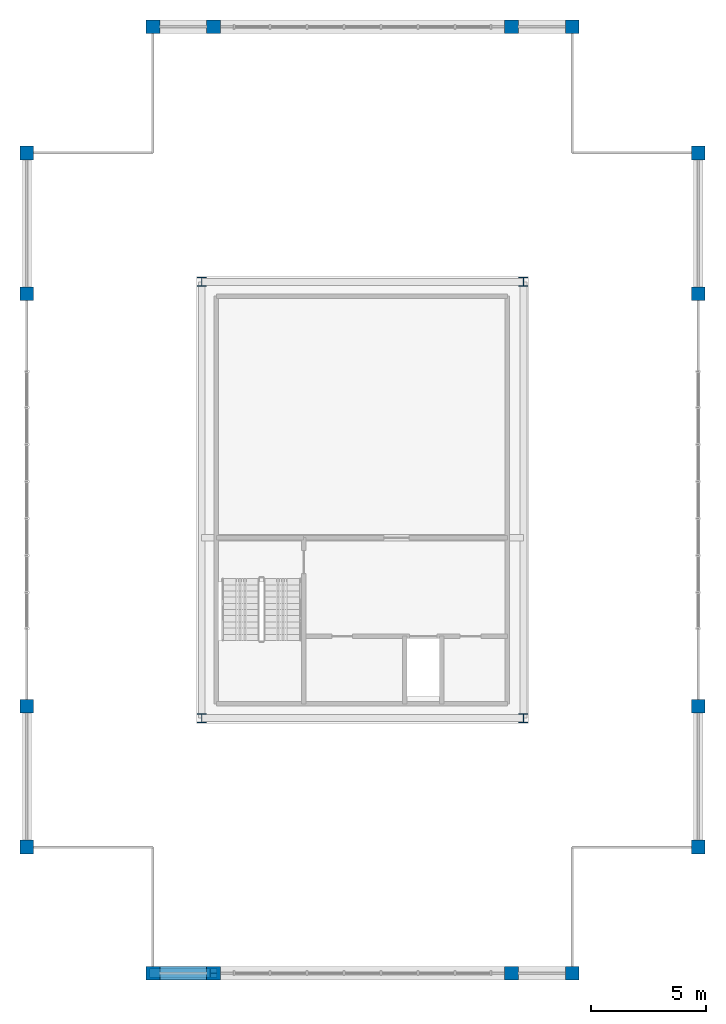
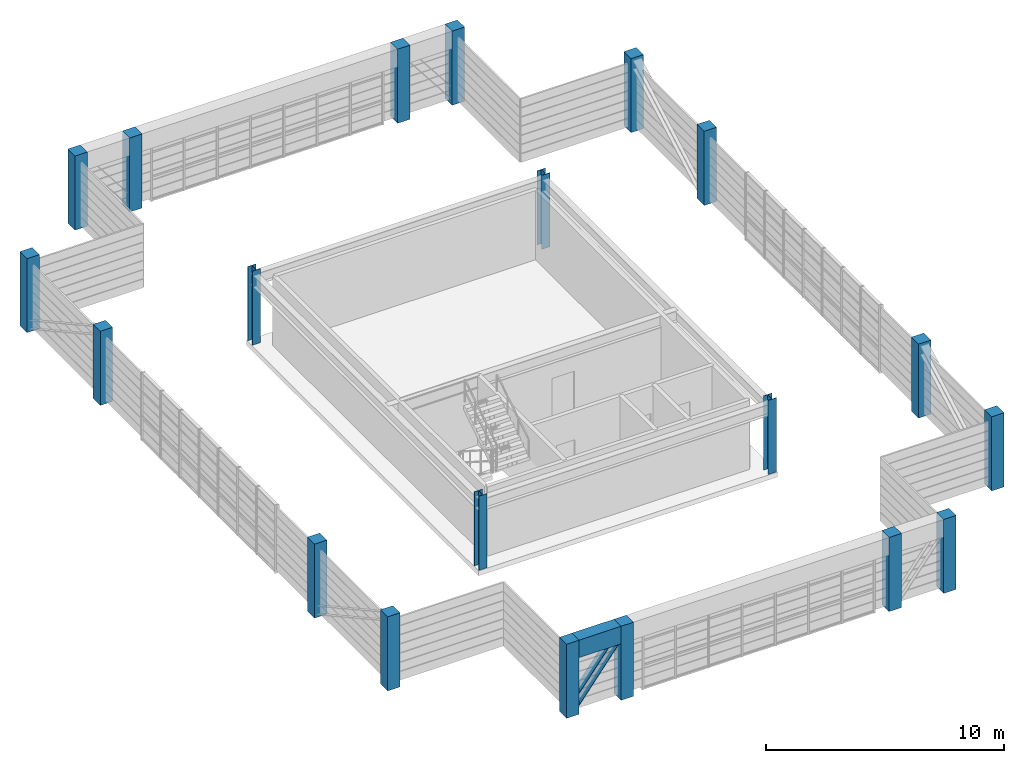
# One storey, part 1 of 21: 20 columns, 1 beam, 1 member.
"""IFC4 building model written with IfcOpenShell, lengths in metres."""

from ifc_helpers import new_model, si_unit, direction, frame, origin, origin_2d, place, context, subcontext, project, spatial, rectangle, i_section, extrude, source, transform, mapped, material, material_profile, profile_set, type_object, element, save


model = new_model("IFC4")

# Units and contexts
model_context = context("Model", 3, precision=1e-05, world=origin(), true_north=direction((0.0, 1.0)))
body_context = subcontext(model_context, "Body", "Model", "MODEL_VIEW")
ifc_project = project(units=[si_unit("LENGTHUNIT", "METRE"), si_unit("AREAUNIT", "SQUARE_METRE"), si_unit("VOLUMEUNIT", "CUBIC_METRE"), si_unit("PLANEANGLEUNIT", "RADIAN"), si_unit("MASSUNIT", "GRAM", prefix="KILO")], contexts=[model_context])

# Site, building, storey
site_placement = place(None, origin())
site = spatial("IfcSite", under=ifc_project, at=site_placement, CompositionType="ELEMENT")
building_placement = place(site_placement, origin())
building = spatial("IfcBuilding", under=site, at=building_placement, Name="Saelheon Loggia Tower", CompositionType="ELEMENT")
storey_placement = place(building_placement, frame((0.0, 0.0, 259.800048828125)))
storey = spatial("IfcBuildingStorey", under=building, at=storey_placement, Name="CR3", CompositionType="ELEMENT", Elevation=259.800048828125)

# Columns
ifc_material_1 = material(Name="Precast Concrete C45/55", Category="concrete")
ifc_material_profile_1 = material_profile(ifc_material_1, rectangle(XDim=0.60009765625, YDim=0.60009765625, at=origin_2d()), Name="RC-600x600")
ifc_profile_set_1 = profile_set([ifc_material_profile_1], Name="Precast Concrete C45/55")
column_type_1 = type_object("IfcColumnType", Name="CrownFrame_Col_RC600", PredefinedType="COLUMN", material=ifc_profile_set_1)
shared_shape_1 = source(origin(), body_context, "Body", "SweptSolid", [
    extrude(rectangle(XDim=0.60009765625, YDim=0.60009765625, at=origin_2d()), origin(), (0.0, 0.0, 1.0), 3.800048828125),
])
for number, where, z_axis, x_axis, name in (
    (1, (28.85009765625, 6.35009765625, 0.0), (0.0, 0.0, 1.0), (1.0, 0.0, 0.0), "CR3 CROWN FRAME Column TP-S1"),
    (2, (31.5, 6.35009765625, 0.0), (0.0, 0.0, 1.0), (1.0, 0.0, 0.0), "CR3 CROWN FRAME Column TP-SA"),
    (3, (44.5, 6.35009765625, 0.0), (0.0, 0.0, 1.0), (1.0, 0.0, 0.0), "CR3 CROWN FRAME Column TP-SB"),
    (4, (47.14990234375, 6.35009765625, 0.0), (0.0, 0.0, 1.0), (1.0, 0.0, 0.0), "CR3 CROWN FRAME Column TP-S2"),
    (5, (52.64990234375, 11.85009765625, 0.0), (0.0, 0.0, 1.0), (1.0, 0.0, 0.0), "CR3 CROWN FRAME Column TP-E1"),
    (6, (52.64990234375, 18.0, 0.0), (0.0, 0.0, 1.0), (1.0, 0.0, 0.0), "CR3 CROWN FRAME Column TP-EA"),
    (7, (52.64990234375, 36.0, 0.0), (0.0, 0.0, 1.0), (1.0, 0.0, 0.0), "CR3 CROWN FRAME Column TP-EB"),
    (8, (52.64990234375, 42.14990234375, 0.0), (0.0, 0.0, 1.0), (1.0, 0.0, 0.0), "CR3 CROWN FRAME Column TP-E2"),
    (9, (47.14990234375, 47.64990234375, 0.0), (0.0, 0.0, 1.0), (1.0, 0.0, 0.0), "CR3 CROWN FRAME Column TP-N2"),
    (10, (44.5, 47.64990234375, 0.0), (0.0, 0.0, 1.0), (1.0, 0.0, 0.0), "CR3 CROWN FRAME Column TP-NB"),
    (11, (31.5, 47.64990234375, 0.0), (0.0, 0.0, 1.0), (1.0, 0.0, 0.0), "CR3 CROWN FRAME Column TP-NA"),
    (12, (28.85009765625, 47.64990234375, 0.0), (0.0, 0.0, 1.0), (1.0, 0.0, 0.0), "CR3 CROWN FRAME Column TP-N1"),
    (13, (23.35009765625, 42.14990234375, 0.0), (0.0, 0.0, 1.0), (1.0, 0.0, 0.0), "CR3 CROWN FRAME Column TP-W2"),
    (14, (23.35009765625, 36.0, 0.0), (0.0, 0.0, 1.0), (1.0, 0.0, 0.0), "CR3 CROWN FRAME Column TP-WB"),
    (15, (23.35009765625, 18.0, 0.0), (0.0, 0.0, 1.0), (1.0, 0.0, 0.0), "CR3 CROWN FRAME Column TP-WA"),
    (16, (23.35009765625, 11.85009765625, 0.0), (0.0, 0.0, 1.0), (1.0, 0.0, 0.0), "CR3 CROWN FRAME Column TP-W1"),
):
    element("IfcColumn", number, at=place(storey_placement, frame(where, z_axis=z_axis, x_axis=x_axis)), inside=storey, type_object=column_type_1, Name=name, PredefinedType="COLUMN", context=body_context, shape_type="MappedRepresentation", body=[
        mapped(shared_shape_1, transform((0.0, 0.0, 0.0), scale=1.0)),
    ])
ifc_material_2 = material(Name="Steel SM355", Category="steel")
ifc_material_profile_2 = material_profile(ifc_material_2, i_section(OverallWidth=0.39990234375, OverallDepth=0.39990234375, WebThickness=0.012939453125, FlangeThickness=0.02099609375, at=origin_2d()), Name="H-400x400x13x21")
ifc_profile_set_2 = profile_set([ifc_material_profile_2], Name="Steel SM355")
column_type_2 = type_object("IfcColumnType", Name="Col_Steel_H400", PredefinedType="COLUMN", material=ifc_profile_set_2)
shared_shape_2 = source(origin(), body_context, "Body", "SweptSolid", [
    extrude(i_section(OverallWidth=0.39990234375, OverallDepth=0.39990234375, WebThickness=0.012939453125, FlangeThickness=0.02099609375, at=origin_2d()), origin(), (0.0, 0.0, 1.0), 3.800048828125),
])
for number, where, z_axis, x_axis, name in (
    (17, (30.97998046875, 17.47998046875, 0.0), (0.0, 0.0, 1.0), (1.0, 0.0, 0.0), "CR3 Crown Plant Frame Column CR-SW"),
    (18, (45.02001953125, 17.47998046875, 0.0), (0.0, 0.0, 1.0), (1.0, 0.0, 0.0), "CR3 Crown Plant Frame Column CR-SE"),
    (19, (30.97998046875, 36.52001953125, 0.0), (0.0, 0.0, 1.0), (1.0, 0.0, 0.0), "CR3 Crown Plant Frame Column CR-NW"),
    (20, (45.02001953125, 36.52001953125, 0.0), (0.0, 0.0, 1.0), (1.0, 0.0, 0.0), "CR3 Crown Plant Frame Column CR-NE"),
):
    element("IfcColumn", number, at=place(storey_placement, frame(where, z_axis=z_axis, x_axis=x_axis)), inside=storey, type_object=column_type_2, Name=name, PredefinedType="COLUMN", context=body_context, shape_type="MappedRepresentation", body=[
        mapped(shared_shape_2, transform((0.0, 0.0, 0.0), scale=1.0)),
    ])

# Beam
ifc_material_profile_3 = material_profile(ifc_material_1, rectangle(XDim=0.60009765625, YDim=0.89990234375, at=origin_2d()), Name="RC-600x900")
ifc_profile_set_3 = profile_set([ifc_material_profile_3], Name="Precast Concrete C45/55")
beam_type = type_object("IfcBeamType", Name="CrownFrame_Ring_RC600x900", PredefinedType="BEAM", material=ifc_profile_set_3)
shared_shape_3 = source(origin(), body_context, "Body", "SweptSolid", [
    extrude(rectangle(XDim=0.60009765625, YDim=0.89990234375, at=origin_2d()), origin(), (0.0, 0.0, 1.0), 2.64990234375),
])
beam_placement = place(storey_placement, frame((28.85009765625, 6.35009765625, 3.349853515625), z_axis=(1.0, 0.0, 0.0), x_axis=(0.0, 1.0, 0.0)))
element("IfcBeam", 21, at=beam_placement, inside=storey, type_object=beam_type, Name="CR3 CROWN FRAME Sill Beam 01", PredefinedType="BEAM", context=body_context, shape_type="MappedRepresentation", body=[
    mapped(shared_shape_3, transform((0.0, 0.0, 0.0), scale=1.0)),
])

# Member
ifc_material_profile_4 = material_profile(ifc_material_2, i_section(OverallWidth=0.39990234375, OverallDepth=0.39990234375, WebThickness=0.012939453125, FlangeThickness=0.02099609375, at=origin_2d()), Name="H-400x400x13x21")
ifc_profile_set_4 = profile_set([ifc_material_profile_4], Name="Steel SM355")
member_type = type_object("IfcMemberType", Name="CrownFrame_Brace_H400", PredefinedType="BRACE", material=ifc_profile_set_4)
shared_shape_4 = source(origin(), body_context, "Body", "SweptSolid", [
    extrude(i_section(OverallWidth=0.39990234375, OverallDepth=0.39990234375, WebThickness=0.012939453125, FlangeThickness=0.02099609375, at=origin_2d()), origin(), (0.0, 0.0, 1.0), 4.310546875),
])
member_placement = place(storey_placement, frame((28.85009765625, 6.35009765625, 0.199951171875), z_axis=(0.614740189852, 0.0, 0.788729674211), x_axis=(0.0, 1.0, 0.0)))
element("IfcMember", 22, at=member_placement, inside=storey, type_object=member_type, Name="CR3 CROWN FRAME Wind Brace 01", PredefinedType="BRACE", context=body_context, shape_type="MappedRepresentation", body=[
    mapped(shared_shape_4, transform((0.0, 0.0, 0.0), scale=1.0)),
])

save(model, "model.ifc")
